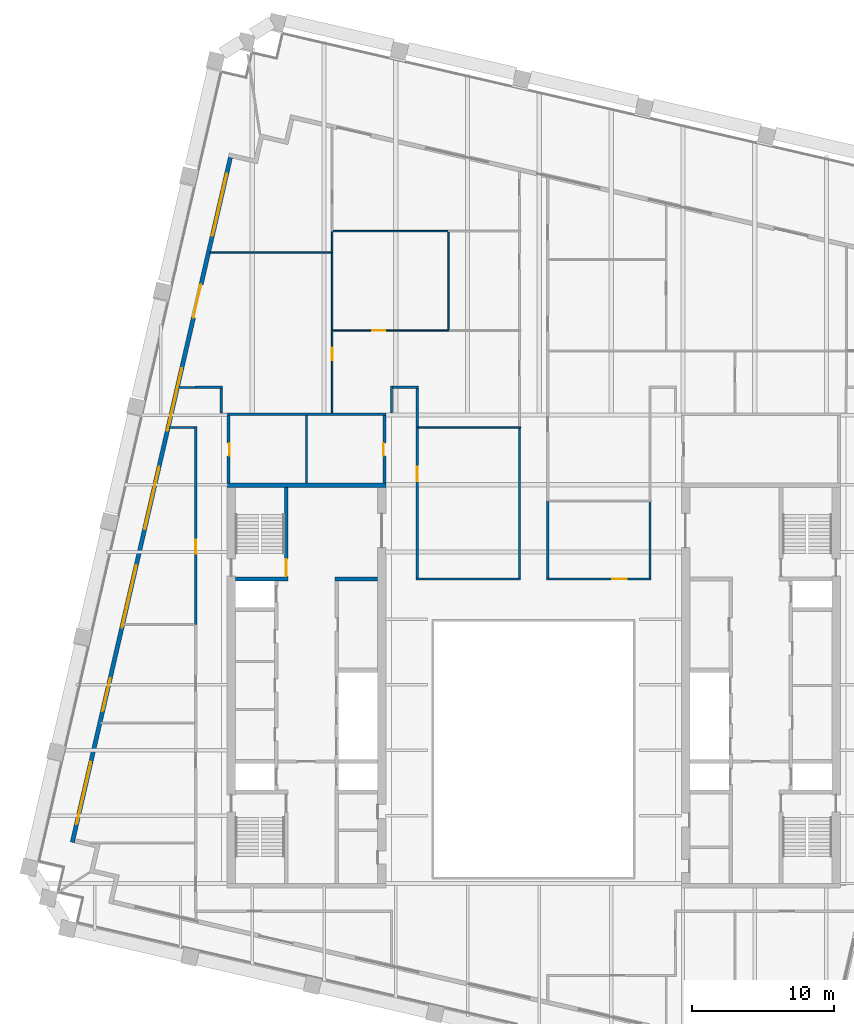
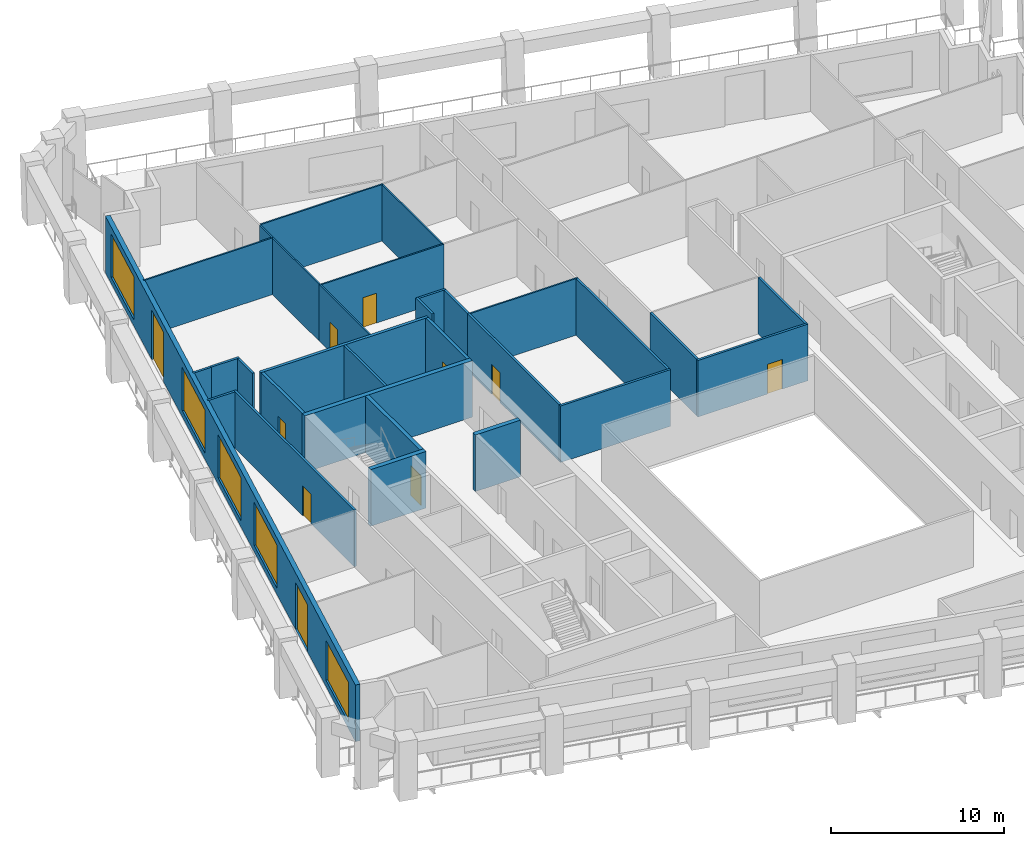
# One storey, part 6 of 9: 31 walls, 10 doors, 5 windows, 15 openings.
"""IFC4 building model written with IfcOpenShell, lengths in metres."""

from ifc_helpers import new_model, si_unit, direction, frame, frame_2d, origin, place, context, subcontext, project, spatial, rectangle, extrude, material, layer, layer_set, type_object, element, fill, save


model = new_model("IFC4")

# Units and contexts
model_context = context("Model", 3, precision=1e-05, world=origin(), true_north=direction((0.0, 1.0)))
body_context = subcontext(model_context, "Body", "Model", "MODEL_VIEW")
ifc_project = project(units=[si_unit("LENGTHUNIT", "METRE"), si_unit("AREAUNIT", "SQUARE_METRE"), si_unit("VOLUMEUNIT", "CUBIC_METRE"), si_unit("PLANEANGLEUNIT", "RADIAN"), si_unit("MASSUNIT", "GRAM", prefix="KILO")], contexts=[model_context])

# Site, building, storey
site_placement = place(None, origin())
site = spatial("IfcSite", under=ifc_project, at=site_placement, CompositionType="ELEMENT")
building_placement = place(site_placement, origin())
building = spatial("IfcBuilding", under=site, at=building_placement, Name="Ogive Exchange Tower", CompositionType="ELEMENT")
storey_placement = place(building_placement, frame((0.0, 0.0, 276.60009765625)))
storey = spatial("IfcBuildingStorey", under=building, at=storey_placement, Name="L60", CompositionType="ELEMENT", Elevation=276.60009765625)

# Walls
ifc_material_1 = material(Name="Gypsum board partition")
ifc_layer_1 = layer(ifc_material_1, 0.14990234375)
ifc_layer_set_1 = layer_set([ifc_layer_1], Name="Core room partition 150 gypsum")
wall_type_1 = type_object("IfcWallType", Name="Core room partition 150 gypsum", PredefinedType="PARTITIONING", material=ifc_layer_set_1)
wall_1_placement = place(storey_placement, frame((-16.0, 25.75, 0.0), z_axis=(0.0, 0.0, 1.0), x_axis=(0.0, 1.0, 0.0)))
element("IfcWall", 1, at=wall_1_placement, inside=storey, type_object=wall_type_1, Name="W annex N column wall", PredefinedType="PARTITIONING", context=body_context, shape_type="SweptSolid", body=[
    extrude(rectangle(XDim=4.75, YDim=0.14990234375, at=frame_2d((2.375, 0.0))), origin(), (0.0, 0.0, 1.0), 4.0),
])
ifc_layer_2 = layer(ifc_material_1, 0.300048828125)
ifc_layer_set_2 = layer_set([ifc_layer_2], Name="Core room partition 300 gypsum")
wall_type_2 = type_object("IfcWallType", Name="Core room partition 300 gypsum", PredefinedType="PARTITIONING", material=ifc_layer_set_2)
wall_2_placement = place(storey_placement, frame((-14.0, 19.0, 0.0), z_axis=(0.0, 0.0, 1.0), x_axis=(1.0, 0.0, 0.0)))
element("IfcWall", 2, at=wall_2_placement, inside=storey, type_object=wall_type_2, Name="W row B room end wall 7", PredefinedType="PARTITIONING", context=body_context, shape_type="SweptSolid", body=[
    extrude(rectangle(XDim=3.0, YDim=0.300048828125, at=frame_2d((1.5, 0.0))), origin(), (0.0, 0.0, 1.0), 4.0),
])
ifc_material_2 = material(Name="Fire partition EI 60 150")
ifc_layer_3 = layer(ifc_material_2, 0.14990234375)
ifc_layer_set_3 = layer_set([ifc_layer_3], Name="Fire partition EI 60 150")
wall_type_3 = type_object("IfcWallType", Name="Fire partition EI 60 150", PredefinedType="PARTITIONING", material=ifc_layer_set_3)
wall_3_placement = place(storey_placement, frame((-25.02490234375, 32.489990234375, 0.0), z_axis=(0.0, 0.0, 1.0), x_axis=(1.0, 0.0, 0.0)))
element("IfcWall", 3, at=wall_3_placement, inside=storey, type_object=wall_type_3, Name="L60-PWL-001", PredefinedType="PARTITIONING", context=body_context, shape_type="SweptSolid", body=[
    extrude(rectangle(XDim=1.224853515625, YDim=0.14990234375, at=frame_2d((0.6123046875, 0.0))), origin(), (0.0, 0.0, 1.0), 4.0),
])

# Wall, opening, door
wall_4_placement = place(storey_placement, frame((-23.800048828125, 15.7900390625, 0.0), z_axis=(0.0, 0.0, 1.0), x_axis=(0.0, 1.0, 0.0)))
wall_4 = element("IfcWall", 4, at=wall_4_placement, inside=storey, type_object=wall_type_3, Name="L60-PWL-008", PredefinedType="PARTITIONING", context=body_context, shape_type="SweptSolid", body=[
    extrude(rectangle(XDim=13.945068359375, YDim=0.14990234375, at=frame_2d((6.97265625, 0.0))), origin(), (0.0, 0.0, 1.0), 4.0),
])
opening_1_placement = place(wall_4_placement, frame((4.969970703125, 0.0, 0.0)))
opening_1 = element("IfcOpeningElement", 5, at=opening_1_placement, cuts=wall_4, Name="Opening L60-I22", PredefinedType="OPENING", context=body_context, shape_type="SweptSolid", body=[
    extrude(rectangle(XDim=1.0, YDim=2.10009765625, at=frame_2d((0.5, 1.050048828125))), frame((0.0, 0.0849609375, 0.0), z_axis=(0.0, -1.0, 0.0), x_axis=(1.0, 0.0, 0.0)), (0.0, 0.0, 1.0), 0.169921875),
])
ifc_material_3 = material(Name="Fire door FD 30S 1000 x 2100")
door_type_1 = type_object("IfcDoorType", Name="Fire door FD 30S 1000 x 2100", OperationType="NOTDEFINED", PredefinedType="DOOR", material=ifc_material_3)
door_1_placement = place(opening_1_placement, origin())
door_1 = element("IfcDoor", 6, at=door_1_placement, inside=storey, type_object=door_type_1, Name="L60-IDR-022", ObjectType="DT3", OperationType="SINGLE_SWING_RIGHT", OverallHeight=2.10009765625, OverallWidth=1.0, PredefinedType="DOOR", context=body_context, shape_type="SweptSolid", body=[
    extrude(rectangle(XDim=1.0, YDim=2.10009765625, at=frame_2d((0.5, 1.050048828125))), frame((0.0, 0.02490234375, 0.0), z_axis=(0.0, -1.0, 0.0), x_axis=(1.0, 0.0, 0.0)), (0.0, 0.0, 1.0), 0.050048828125),
])
fill(opening_1, door_1)

# Walls
wall_5_placement = place(storey_placement, frame((-23.875, 29.659912109375, 0.0), z_axis=(0.0, 0.0, 1.0), x_axis=(-1.0, 0.0, 0.0)))
element("IfcWall", 7, at=wall_5_placement, inside=storey, type_object=wall_type_3, Name="L60-PWL-009", PredefinedType="PARTITIONING", context=body_context, shape_type="SweptSolid", body=[
    extrude(rectangle(XDim=1.802978515625, YDim=0.14990234375, at=frame_2d((0.9013671875, 0.0))), origin(), (0.0, 0.0, 1.0), 4.0),
])
wall_6_placement = place(storey_placement, frame((-23.800048828125, 32.5, 0.0), z_axis=(0.0, 0.0, 1.0), x_axis=(1.0, 0.0, 0.0)))
element("IfcWall", 8, at=wall_6_placement, inside=storey, type_object=wall_type_3, Name="L60-PWL-010", PredefinedType="PARTITIONING", context=body_context, shape_type="SweptSolid", body=[
    extrude(rectangle(XDim=1.875, YDim=0.14990234375, at=frame_2d((0.9375, 0.0))), origin(), (0.0, 0.0, 1.0), 4.0),
])
wall_7_placement = place(storey_placement, frame((-22.0, 32.425048828125, 0.0), z_axis=(0.0, 0.0, 1.0), x_axis=(0.0, -1.0, 0.0)))
element("IfcWall", 9, at=wall_7_placement, inside=storey, type_object=wall_type_3, Name="L60-PWL-012", PredefinedType="PARTITIONING", context=body_context, shape_type="SweptSolid", body=[
    extrude(rectangle(XDim=1.72509765625, YDim=0.14990234375, at=frame_2d((0.862548828125, 0.0))), origin(), (0.0, 0.0, 1.0), 4.0),
])
wall_8_placement = place(storey_placement, frame((-10.0, 30.699951171875, 0.0), z_axis=(0.0, 0.0, 1.0), x_axis=(0.0, 1.0, 0.0)))
element("IfcWall", 10, at=wall_8_placement, inside=storey, type_object=wall_type_3, Name="L60-PWL-022", PredefinedType="PARTITIONING", context=body_context, shape_type="SweptSolid", body=[
    extrude(rectangle(XDim=1.875, YDim=0.14990234375, at=frame_2d((0.9375, 0.0))), origin(), (0.0, 0.0, 1.0), 4.0),
])
wall_9_placement = place(storey_placement, frame((-9.925048828125, 32.5, 0.0), z_axis=(0.0, 0.0, 1.0), x_axis=(1.0, 0.0, 0.0)))
element("IfcWall", 11, at=wall_9_placement, inside=storey, type_object=wall_type_3, Name="L60-PWL-023", PredefinedType="PARTITIONING", context=body_context, shape_type="SweptSolid", body=[
    extrude(rectangle(XDim=1.800048828125, YDim=0.14990234375, at=frame_2d((0.89990234375, 0.0))), origin(), (0.0, 0.0, 1.0), 4.0),
])
wall_10_placement = place(storey_placement, frame((-8.27490234375, 19.0, 0.0), z_axis=(0.0, 0.0, 1.0), x_axis=(1.0, 0.0, 0.0)))
element("IfcWall", 12, at=wall_10_placement, inside=storey, type_object=wall_type_3, Name="L60-PWL-024", PredefinedType="PARTITIONING", context=body_context, shape_type="SweptSolid", body=[
    extrude(rectangle(XDim=7.35986328125, YDim=0.14990234375, at=frame_2d((3.679931640625, 0.0))), origin(), (0.0, 0.0, 1.0), 4.0),
])

# Wall, opening, door
wall_11_placement = place(storey_placement, frame((-8.199951171875, 29.7099609375, 0.0), z_axis=(0.0, 0.0, 1.0), x_axis=(0.0, -1.0, 0.0)))
wall_11 = element("IfcWall", 13, at=wall_11_placement, inside=storey, type_object=wall_type_3, Name="L60-PWL-025", PredefinedType="PARTITIONING", context=body_context, shape_type="SweptSolid", body=[
    extrude(rectangle(XDim=10.635009765625, YDim=0.14990234375, at=frame_2d((5.3173828125, 0.0))), origin(), (0.0, 0.0, 1.0), 4.0),
])
opening_2_placement = place(wall_11_placement, frame((2.81005859375, 0.0, 0.0)))
opening_2 = element("IfcOpeningElement", 14, at=opening_2_placement, cuts=wall_11, Name="Opening L60-I15", PredefinedType="OPENING", context=body_context, shape_type="SweptSolid", body=[
    extrude(rectangle(XDim=1.0, YDim=2.10009765625, at=frame_2d((0.5, 1.050048828125))), frame((0.0, 0.0849609375, 0.0), z_axis=(0.0, -1.0, 0.0), x_axis=(1.0, 0.0, 0.0)), (0.0, 0.0, 1.0), 0.169921875),
])
door_2_placement = place(opening_2_placement, origin())
door_2 = element("IfcDoor", 15, at=door_2_placement, inside=storey, type_object=door_type_1, Name="L60-IDR-015", ObjectType="DT3", OperationType="SINGLE_SWING_RIGHT", OverallHeight=2.10009765625, OverallWidth=1.0, PredefinedType="DOOR", context=body_context, shape_type="SweptSolid", body=[
    extrude(rectangle(XDim=1.0, YDim=2.10009765625, at=frame_2d((0.5, 1.050048828125))), frame((0.0, 0.02490234375, 0.0), z_axis=(0.0, -1.0, 0.0), x_axis=(1.0, 0.0, 0.0)), (0.0, 0.0, 1.0), 0.050048828125),
])
fill(opening_2, door_2)

# Walls
wall_12_placement = place(storey_placement, frame((-8.199951171875, 32.425048828125, 0.0), z_axis=(0.0, 0.0, 1.0), x_axis=(0.0, -1.0, 0.0)))
element("IfcWall", 16, at=wall_12_placement, inside=storey, type_object=wall_type_3, Name="L60-PWL-027", PredefinedType="PARTITIONING", context=body_context, shape_type="SweptSolid", body=[
    extrude(rectangle(XDim=2.715087890625, YDim=0.14990234375, at=frame_2d((1.357421875, 0.0))), origin(), (0.0, 0.0, 1.0), 4.0),
])
wall_13_placement = place(storey_placement, frame((-0.989990234375, 19.074951171875, 0.0), z_axis=(0.0, 0.0, 1.0), x_axis=(0.0, 1.0, 0.0)))
element("IfcWall", 17, at=wall_13_placement, inside=storey, type_object=wall_type_3, Name="L60-PWL-031", PredefinedType="PARTITIONING", context=body_context, shape_type="SweptSolid", body=[
    extrude(rectangle(XDim=10.53515625, YDim=0.14990234375, at=frame_2d((5.267578125, 0.0))), origin(), (0.0, 0.0, 1.0), 4.0),
])

# Wall, opening, door
wall_14_placement = place(storey_placement, frame((0.9150390625, 19.0, 0.0), z_axis=(0.0, 0.0, 1.0), x_axis=(1.0, 0.0, 0.0)))
wall_14 = element("IfcWall", 18, at=wall_14_placement, inside=storey, type_object=wall_type_3, Name="L60-PWL-036", PredefinedType="PARTITIONING", context=body_context, shape_type="SweptSolid", body=[
    extrude(rectangle(XDim=7.35986328125, YDim=0.14990234375, at=frame_2d((3.679931640625, 0.0))), origin(), (0.0, 0.0, 1.0), 4.0),
])
opening_3_placement = place(wall_14_placement, frame((4.635009765625, 0.0, 0.0)))
opening_3 = element("IfcOpeningElement", 19, at=opening_3_placement, cuts=wall_14, Name="Opening L60-I04", PredefinedType="OPENING", context=body_context, shape_type="SweptSolid", body=[
    extrude(rectangle(XDim=1.0, YDim=2.10009765625, at=frame_2d((0.5, 1.050048828125))), frame((0.0, 0.0849609375, 0.0), z_axis=(0.0, -1.0, 0.0), x_axis=(1.0, 0.0, 0.0)), (0.0, 0.0, 1.0), 0.169921875),
])
door_3_placement = place(opening_3_placement, origin())
door_3 = element("IfcDoor", 20, at=door_3_placement, inside=storey, type_object=door_type_1, Name="L60-IDR-004", ObjectType="DT3", OperationType="SINGLE_SWING_LEFT", OverallHeight=2.10009765625, OverallWidth=1.0, PredefinedType="DOOR", context=body_context, shape_type="SweptSolid", body=[
    extrude(rectangle(XDim=1.0, YDim=2.10009765625, at=frame_2d((0.5, 1.050048828125))), frame((0.0, 0.02490234375, 0.0), z_axis=(0.0, -1.0, 0.0), x_axis=(1.0, 0.0, 0.0)), (0.0, 0.0, 1.0), 0.050048828125),
])
fill(opening_3, door_3)

# Walls
wall_15_placement = place(storey_placement, frame((0.989990234375, 24.5, 0.0), z_axis=(0.0, 0.0, 1.0), x_axis=(0.0, -1.0, 0.0)))
element("IfcWall", 21, at=wall_15_placement, inside=storey, type_object=wall_type_3, Name="L60-PWL-037", PredefinedType="PARTITIONING", context=body_context, shape_type="SweptSolid", body=[
    extrude(rectangle(XDim=5.425048828125, YDim=0.14990234375, at=frame_2d((2.71240234375, 0.0))), origin(), (0.0, 0.0, 1.0), 4.0),
])
wall_16_placement = place(storey_placement, frame((8.199951171875, 19.074951171875, 0.0), z_axis=(0.0, 0.0, 1.0), x_axis=(0.0, 1.0, 0.0)))
element("IfcWall", 22, at=wall_16_placement, inside=storey, type_object=wall_type_3, Name="L60-PWL-042", PredefinedType="PARTITIONING", context=body_context, shape_type="SweptSolid", body=[
    extrude(rectangle(XDim=5.375, YDim=0.14990234375, at=frame_2d((2.6875, 0.0))), origin(), (0.0, 0.0, 1.0), 4.0),
])

# Wall, openings, doors, windows
ifc_material_4 = material(Name="Precast concrete C40/50", Category="concrete")
ifc_layer_4 = layer(ifc_material_4, 0.300048828125)
ifc_layer_set_4 = layer_set([ifc_layer_4], Name="Limestone-faced wall 300")
wall_type_4 = type_object("IfcWallType", Name="Limestone-faced wall 300", PredefinedType="STANDARD", material=ifc_layer_set_4)
wall_17_placement = place(storey_placement, frame((-21.35888671875, 48.67822265625, 0.0), z_axis=(0.0, 0.0, 1.0), x_axis=(-0.224949198343, -0.974370493275, 0.0)))
wall_17 = element("IfcWall", 23, at=wall_17_placement, inside=storey, type_object=wall_type_4, Name="External wall W4", PredefinedType="STANDARD", context=body_context, shape_type="SweptSolid", body=[
    extrude(rectangle(XDim=49.5, YDim=0.300048828125, at=frame_2d((24.75, 0.0))), origin(), (0.0, 0.0, 1.0), 4.0),
])
opening_4_placement = place(wall_17_placement, frame((1.156982421875, 0.0, 0.449951171875)))
opening_4 = element("IfcOpeningElement", 24, at=opening_4_placement, cuts=wall_17, Name="Opening W1", PredefinedType="OPENING", context=body_context, shape_type="SweptSolid", body=[
    extrude(rectangle(XDim=4.5, YDim=3.050048828125, at=frame_2d((2.25, 1.52490234375))), frame((0.0, 0.159912109375, 0.0), z_axis=(0.0, -1.0, 0.0), x_axis=(1.0, 0.0, 0.0)), (0.0, 0.0, 1.0), 0.320068359375),
])
opening_5_placement = place(wall_17_placement, frame((9.17138671875, 0.0, 0.0)))
opening_5 = element("IfcOpeningElement", 25, at=opening_5_placement, cuts=wall_17, Name="Opening D1", PredefinedType="OPENING", context=body_context, shape_type="SweptSolid", body=[
    extrude(rectangle(XDim=2.39990234375, YDim=3.5, at=frame_2d((1.199951171875, 1.75))), frame((0.0, 0.159912109375, 0.0), z_axis=(0.0, -1.0, 0.0), x_axis=(1.0, 0.0, 0.0)), (0.0, 0.0, 1.0), 0.320068359375),
])
opening_6_placement = place(wall_17_placement, frame((15.235595703125, 0.0, 0.449951171875)))
opening_6 = element("IfcOpeningElement", 26, at=opening_6_placement, cuts=wall_17, Name="Opening W1", PredefinedType="OPENING", context=body_context, shape_type="SweptSolid", body=[
    extrude(rectangle(XDim=4.5, YDim=3.050048828125, at=frame_2d((2.25, 1.52490234375))), frame((0.0, 0.159912109375, 0.0), z_axis=(0.0, -1.0, 0.0), x_axis=(1.0, 0.0, 0.0)), (0.0, 0.0, 1.0), 0.320068359375),
])
opening_7_placement = place(wall_17_placement, frame((22.35009765625, 0.0, 0.449951171875)))
opening_7 = element("IfcOpeningElement", 27, at=opening_7_placement, cuts=wall_17, Name="Opening W1", PredefinedType="OPENING", context=body_context, shape_type="SweptSolid", body=[
    extrude(rectangle(XDim=4.5, YDim=3.050048828125, at=frame_2d((2.25, 1.52490234375))), frame((0.0, 0.159912109375, 0.0), z_axis=(0.0, -1.0, 0.0), x_axis=(1.0, 0.0, 0.0)), (0.0, 0.0, 1.0), 0.320068359375),
])
opening_8_placement = place(wall_17_placement, frame((29.464111328125, 0.0, 0.449951171875)))
opening_8 = element("IfcOpeningElement", 28, at=opening_8_placement, cuts=wall_17, Name="Opening W1", PredefinedType="OPENING", context=body_context, shape_type="SweptSolid", body=[
    extrude(rectangle(XDim=4.5, YDim=3.050048828125, at=frame_2d((2.25, 1.52490234375))), frame((0.0, 0.159912109375, 0.0), z_axis=(0.0, -1.0, 0.0), x_axis=(1.0, 0.0, 0.0)), (0.0, 0.0, 1.0), 0.320068359375),
])
opening_9_placement = place(wall_17_placement, frame((37.62841796875, 0.0, 0.0)))
opening_9 = element("IfcOpeningElement", 29, at=opening_9_placement, cuts=wall_17, Name="Opening D1C", PredefinedType="OPENING", context=body_context, shape_type="SweptSolid", body=[
    extrude(rectangle(XDim=2.39990234375, YDim=3.324951171875, at=frame_2d((1.199951171875, 1.66259765625))), frame((0.0, 0.159912109375, 0.0), z_axis=(0.0, -1.0, 0.0), x_axis=(1.0, 0.0, 0.0)), (0.0, 0.0, 1.0), 0.320068359375),
])
opening_10_placement = place(wall_17_placement, frame((43.69287109375, 0.0, 0.449951171875)))
opening_10 = element("IfcOpeningElement", 30, at=opening_10_placement, cuts=wall_17, Name="Opening W1E", PredefinedType="OPENING", context=body_context, shape_type="SweptSolid", body=[
    extrude(rectangle(XDim=4.5, YDim=2.824951171875, at=frame_2d((2.25, 1.41259765625))), frame((0.0, 0.159912109375, 0.0), z_axis=(0.0, -1.0, 0.0), x_axis=(1.0, 0.0, 0.0)), (0.0, 0.0, 1.0), 0.320068359375),
])
ifc_material_5 = material(Name="Clear glass in bronze frame", Category="glass")
door_type_2 = type_object("IfcDoorType", Name="Sliding loggia door 2400 x 3325", OperationType="DOUBLE_DOOR_SLIDING", PredefinedType="DOOR", material=ifc_material_5)
door_4_placement = place(opening_9_placement, origin())
door_4 = element("IfcDoor", 31, at=door_4_placement, inside=storey, type_object=door_type_2, Name="Loggia door W05", OperationType="DOUBLE_DOOR_SLIDING", OverallHeight=3.324951171875, OverallWidth=2.39990234375, PredefinedType="DOOR", context=body_context, shape_type="SweptSolid", body=[
    extrude(rectangle(XDim=2.39990234375, YDim=3.324951171875, at=frame_2d((1.199951171875, 1.66259765625))), frame((0.0, 0.02490234375, 0.0), z_axis=(0.0, -1.0, 0.0), x_axis=(1.0, 0.0, 0.0)), (0.0, 0.0, 1.0), 0.050048828125),
])
fill(opening_9, door_4)
door_type_3 = type_object("IfcDoorType", Name="Sliding loggia door 2400 x 3500", OperationType="DOUBLE_DOOR_SLIDING", PredefinedType="DOOR", material=ifc_material_5)
door_5_placement = place(opening_5_placement, origin())
door_5 = element("IfcDoor", 32, at=door_5_placement, inside=storey, type_object=door_type_3, Name="Loggia door W01", OperationType="DOUBLE_DOOR_SLIDING", OverallHeight=3.5, OverallWidth=2.39990234375, PredefinedType="DOOR", context=body_context, shape_type="SweptSolid", body=[
    extrude(rectangle(XDim=2.39990234375, YDim=3.5, at=frame_2d((1.199951171875, 1.75))), frame((0.0, 0.02490234375, 0.0), z_axis=(0.0, -1.0, 0.0), x_axis=(1.0, 0.0, 0.0)), (0.0, 0.0, 1.0), 0.050048828125),
])
fill(opening_5, door_5)
window_type_1 = type_object("IfcWindowType", Name="Twin lancet window 4500 x 2825", PartitioningType="DOUBLE_PANEL_VERTICAL", PredefinedType="WINDOW", material=ifc_material_5)
window_1_placement = place(opening_10_placement, origin())
window_1 = element("IfcWindow", 33, at=window_1_placement, inside=storey, type_object=window_type_1, Name="Window W06", OverallHeight=2.824951171875, OverallWidth=4.5, PartitioningType="DOUBLE_PANEL_VERTICAL", PredefinedType="WINDOW", context=body_context, shape_type="SweptSolid", body=[
    extrude(rectangle(XDim=4.5, YDim=2.824951171875, at=frame_2d((2.25, 1.41259765625))), frame((0.0, 0.030029296875, 0.0), z_axis=(0.0, -1.0, 0.0), x_axis=(1.0, 0.0, 0.0)), (0.0, 0.0, 1.0), 0.06005859375),
])
fill(opening_10, window_1)
window_type_2 = type_object("IfcWindowType", Name="Twin lancet window 4500 x 3050", PartitioningType="DOUBLE_PANEL_VERTICAL", PredefinedType="WINDOW", material=ifc_material_5)
window_2_placement = place(opening_4_placement, origin())
window_2 = element("IfcWindow", 34, at=window_2_placement, inside=storey, type_object=window_type_2, Name="Window W00", OverallHeight=3.050048828125, OverallWidth=4.5, PartitioningType="DOUBLE_PANEL_VERTICAL", PredefinedType="WINDOW", context=body_context, shape_type="SweptSolid", body=[
    extrude(rectangle(XDim=4.5, YDim=3.050048828125, at=frame_2d((2.25, 1.52490234375))), frame((0.0, 0.030029296875, 0.0), z_axis=(0.0, -1.0, 0.0), x_axis=(1.0, 0.0, 0.0)), (0.0, 0.0, 1.0), 0.06005859375),
])
fill(opening_4, window_2)
window_3_placement = place(opening_6_placement, origin())
window_3 = element("IfcWindow", 35, at=window_3_placement, inside=storey, type_object=window_type_2, Name="Window W02", OverallHeight=3.050048828125, OverallWidth=4.5, PartitioningType="DOUBLE_PANEL_VERTICAL", PredefinedType="WINDOW", context=body_context, shape_type="SweptSolid", body=[
    extrude(rectangle(XDim=4.5, YDim=3.050048828125, at=frame_2d((2.25, 1.52490234375))), frame((0.0, 0.030029296875, 0.0), z_axis=(0.0, -1.0, 0.0), x_axis=(1.0, 0.0, 0.0)), (0.0, 0.0, 1.0), 0.06005859375),
])
fill(opening_6, window_3)
window_4_placement = place(opening_7_placement, origin())
window_4 = element("IfcWindow", 36, at=window_4_placement, inside=storey, type_object=window_type_2, Name="Window W03", OverallHeight=3.050048828125, OverallWidth=4.5, PartitioningType="DOUBLE_PANEL_VERTICAL", PredefinedType="WINDOW", context=body_context, shape_type="SweptSolid", body=[
    extrude(rectangle(XDim=4.5, YDim=3.050048828125, at=frame_2d((2.25, 1.52490234375))), frame((0.0, 0.030029296875, 0.0), z_axis=(0.0, -1.0, 0.0), x_axis=(1.0, 0.0, 0.0)), (0.0, 0.0, 1.0), 0.06005859375),
])
fill(opening_7, window_4)
window_5_placement = place(opening_8_placement, origin())
window_5 = element("IfcWindow", 37, at=window_5_placement, inside=storey, type_object=window_type_2, Name="Window W04", OverallHeight=3.050048828125, OverallWidth=4.5, PartitioningType="DOUBLE_PANEL_VERTICAL", PredefinedType="WINDOW", context=body_context, shape_type="SweptSolid", body=[
    extrude(rectangle(XDim=4.5, YDim=3.050048828125, at=frame_2d((2.25, 1.52490234375))), frame((0.0, 0.030029296875, 0.0), z_axis=(0.0, -1.0, 0.0), x_axis=(1.0, 0.0, 0.0)), (0.0, 0.0, 1.0), 0.06005859375),
])
fill(opening_8, window_5)

# Wall, opening, door
ifc_material_6 = material(Name="Partition 100 gypsum")
ifc_layer_5 = layer(ifc_material_6, 0.10009765625)
ifc_layer_set_5 = layer_set([ifc_layer_5], Name="Partition 100 gypsum")
wall_type_5 = type_object("IfcWallType", Name="Partition 100 gypsum", PredefinedType="PARTITIONING", material=ifc_layer_set_5)
wall_18_placement = place(storey_placement, frame((-14.18994140625, 30.699951171875, 0.0), z_axis=(0.0, 0.0, 1.0), x_axis=(0.0, 1.0, 0.0)))
wall_18 = element("IfcWall", 38, at=wall_18_placement, inside=storey, type_object=wall_type_5, Name="L60-PWL-013", PredefinedType="PARTITIONING", context=body_context, shape_type="SweptSolid", body=[
    extrude(rectangle(XDim=5.85009765625, YDim=0.10009765625, at=frame_2d((2.925048828125, 0.0))), origin(), (0.0, 0.0, 1.0), 4.0),
])
opening_11_placement = place(wall_18_placement, frame((3.699951171875, 0.0, 0.0)))
opening_11 = element("IfcOpeningElement", 39, at=opening_11_placement, cuts=wall_18, Name="Opening L60-I21", PredefinedType="OPENING", context=body_context, shape_type="SweptSolid", body=[
    extrude(rectangle(XDim=0.89990234375, YDim=2.10009765625, at=frame_2d((0.449951171875, 1.050048828125))), frame((0.0, 0.06005859375, 0.0), z_axis=(0.0, -1.0, 0.0), x_axis=(1.0, 0.0, 0.0)), (0.0, 0.0, 1.0), 0.1201171875),
])
ifc_material_7 = material(Name="Door 900 x 2100")
door_type_4 = type_object("IfcDoorType", Name="Door 900 x 2100", OperationType="NOTDEFINED", PredefinedType="DOOR", material=ifc_material_7)
door_6_placement = place(opening_11_placement, frame((0.89990234375, 0.0, 0.0), z_axis=(0.0, 0.0, 1.0), x_axis=(-1.0, 0.0, 0.0)))
door_6 = element("IfcDoor", 40, at=door_6_placement, inside=storey, type_object=door_type_4, Name="L60-IDR-021", ObjectType="DT1", OperationType="SINGLE_SWING_RIGHT", OverallHeight=2.10009765625, OverallWidth=0.89990234375, PredefinedType="DOOR", context=body_context, shape_type="SweptSolid", body=[
    extrude(rectangle(XDim=0.89990234375, YDim=2.10009765625, at=frame_2d((0.449951171875, 1.050048828125))), frame((0.0, 0.02490234375, 0.0), z_axis=(0.0, -1.0, 0.0), x_axis=(1.0, 0.0, 0.0)), (0.0, 0.0, 1.0), 0.050048828125),
])
fill(opening_11, door_6)

# Wall
wall_19_placement = place(storey_placement, frame((-14.18994140625, 36.550048828125, 0.0), z_axis=(0.0, 0.0, 1.0), x_axis=(0.0, 1.0, 0.0)))
element("IfcWall", 41, at=wall_19_placement, inside=storey, type_object=wall_type_5, Name="L60-PWL-014", PredefinedType="PARTITIONING", context=body_context, shape_type="SweptSolid", body=[
    extrude(rectangle(XDim=5.5, YDim=0.10009765625, at=frame_2d((2.75, 0.0))), origin(), (0.0, 0.0, 1.0), 4.0),
])

# Wall, opening, door
wall_20_placement = place(storey_placement, frame((-14.139892578125, 36.5, 0.0), z_axis=(0.0, 0.0, 1.0), x_axis=(1.0, 0.0, 0.0)))
wall_20 = element("IfcWall", 42, at=wall_20_placement, inside=storey, type_object=wall_type_5, Name="L60-PWL-015", PredefinedType="PARTITIONING", context=body_context, shape_type="SweptSolid", body=[
    extrude(rectangle(XDim=8.18994140625, YDim=0.10009765625, at=frame_2d((4.094970703125, 0.0))), origin(), (0.0, 0.0, 1.0), 4.0),
])
opening_12_placement = place(wall_20_placement, frame((2.7900390625, 0.0, 0.0)))
opening_12 = element("IfcOpeningElement", 43, at=opening_12_placement, cuts=wall_20, Name="Opening L60-I17", PredefinedType="OPENING", context=body_context, shape_type="SweptSolid", body=[
    extrude(rectangle(XDim=0.89990234375, YDim=2.10009765625, at=frame_2d((0.449951171875, 1.050048828125))), frame((0.0, 0.06005859375, 0.0), z_axis=(0.0, -1.0, 0.0), x_axis=(1.0, 0.0, 0.0)), (0.0, 0.0, 1.0), 0.1201171875),
])
door_7_placement = place(opening_12_placement, origin())
door_7 = element("IfcDoor", 44, at=door_7_placement, inside=storey, type_object=door_type_4, Name="L60-IDR-017", ObjectType="DT1", OperationType="SINGLE_SWING_RIGHT", OverallHeight=2.10009765625, OverallWidth=0.89990234375, PredefinedType="DOOR", context=body_context, shape_type="SweptSolid", body=[
    extrude(rectangle(XDim=0.89990234375, YDim=2.10009765625, at=frame_2d((0.449951171875, 1.050048828125))), frame((0.0, 0.02490234375, 0.0), z_axis=(0.0, -1.0, 0.0), x_axis=(1.0, 0.0, 0.0)), (0.0, 0.0, 1.0), 0.050048828125),
])
fill(opening_12, door_7)

# Walls
wall_21_placement = place(storey_placement, frame((-14.239990234375, 42.0, 0.0), z_axis=(0.0, 0.0, 1.0), x_axis=(-1.0, 0.0, 0.0)))
element("IfcWall", 45, at=wall_21_placement, inside=storey, type_object=wall_type_5, Name="L60-PWL-016", PredefinedType="PARTITIONING", context=body_context, shape_type="SweptSolid", body=[
    extrude(rectangle(XDim=8.589111328125, YDim=0.10009765625, at=frame_2d((4.29443359375, 0.0))), origin(), (0.0, 0.0, 1.0), 4.0),
])
wall_22_placement = place(storey_placement, frame((-14.18994140625, 42.0, 0.0), z_axis=(0.0, 0.0, 1.0), x_axis=(0.0, 1.0, 0.0)))
element("IfcWall", 46, at=wall_22_placement, inside=storey, type_object=wall_type_5, Name="L60-PWL-017", PredefinedType="PARTITIONING", context=body_context, shape_type="SweptSolid", body=[
    extrude(rectangle(XDim=1.449951171875, YDim=0.10009765625, at=frame_2d((0.72509765625, 0.0))), origin(), (0.0, 0.0, 1.0), 4.0),
])
wall_23_placement = place(storey_placement, frame((-14.139892578125, 43.5, 0.0), z_axis=(0.0, 0.0, 1.0), x_axis=(1.0, 0.0, 0.0)))
element("IfcWall", 47, at=wall_23_placement, inside=storey, type_object=wall_type_5, Name="L60-PWL-019", PredefinedType="PARTITIONING", context=body_context, shape_type="SweptSolid", body=[
    extrude(rectangle(XDim=8.18994140625, YDim=0.10009765625, at=frame_2d((4.094970703125, 0.0))), origin(), (0.0, 0.0, 1.0), 4.0),
])
wall_24_placement = place(storey_placement, frame((-8.125, 29.659912109375, 0.0), z_axis=(0.0, 0.0, 1.0), x_axis=(1.0, 0.0, 0.0)))
element("IfcWall", 48, at=wall_24_placement, inside=storey, type_object=wall_type_5, Name="L60-PWL-026", PredefinedType="PARTITIONING", context=body_context, shape_type="SweptSolid", body=[
    extrude(rectangle(XDim=7.2099609375, YDim=0.10009765625, at=frame_2d((3.60498046875, 0.0))), origin(), (0.0, 0.0, 1.0), 4.0),
])
wall_25_placement = place(storey_placement, frame((-6.0, 43.449951171875, 0.0), z_axis=(0.0, 0.0, 1.0), x_axis=(0.0, -1.0, 0.0)))
element("IfcWall", 49, at=wall_25_placement, inside=storey, type_object=wall_type_5, Name="L60-PWL-029", PredefinedType="PARTITIONING", context=body_context, shape_type="SweptSolid", body=[
    extrude(rectangle(XDim=6.89990234375, YDim=0.10009765625, at=frame_2d((3.449951171875, 0.0))), origin(), (0.0, 0.0, 1.0), 4.0),
])

# Wall, opening, door
ifc_material_8 = material(Name="Concrete C70/85", Category="concrete")
ifc_layer_6 = layer(ifc_material_8, 0.199951171875)
ifc_layer_set_6 = layer_set([ifc_layer_6], Name="RC core wall 200 C70/85")
wall_type_6 = type_object("IfcWallType", Name="RC core wall 200 C70/85", PredefinedType="SHEAR", material=ifc_layer_set_6)
wall_26_placement = place(storey_placement, frame((-21.5, 25.75, 0.0), z_axis=(0.0, 0.0, 1.0), x_axis=(0.0, 1.0, 0.0)))
wall_26 = element("IfcWall", 50, at=wall_26_placement, inside=storey, type_object=wall_type_6, Name="W annex N outer wall", PredefinedType="SHEAR", context=body_context, shape_type="SweptSolid", body=[
    extrude(rectangle(XDim=4.75, YDim=0.199951171875, at=frame_2d((2.375, 0.0))), origin(), (0.0, 0.0, 1.0), 4.0),
])
opening_13_placement = place(wall_26_placement, frame((1.925048828125, 0.0, 0.0)))
opening_13 = element("IfcOpeningElement", 51, at=opening_13_placement, cuts=wall_26, Name="Opening L60-C19", PredefinedType="OPENING", context=body_context, shape_type="SweptSolid", body=[
    extrude(rectangle(XDim=0.89990234375, YDim=2.10009765625, at=frame_2d((0.449951171875, 1.050048828125))), frame((0.0, 0.10986328125, 0.0), z_axis=(0.0, -1.0, 0.0), x_axis=(1.0, 0.0, 0.0)), (0.0, 0.0, 1.0), 0.219970703125),
])
ifc_material_9 = material(Name="Timber fire door", Category="wood")
door_type_5 = type_object("IfcDoorType", Name="Core room door FD30S 900 x 2100", OperationType="NOTDEFINED", PredefinedType="DOOR", material=ifc_material_9)
door_8_placement = place(opening_13_placement, origin())
door_8 = element("IfcDoor", 52, at=door_8_placement, inside=storey, type_object=door_type_5, Name="Core room door", ObjectType="CD6", OperationType="SINGLE_SWING_LEFT", OverallHeight=2.10009765625, OverallWidth=0.89990234375, PredefinedType="DOOR", context=body_context, shape_type="SweptSolid", body=[
    extrude(rectangle(XDim=0.89990234375, YDim=2.10009765625, at=frame_2d((0.449951171875, 1.050048828125))), frame((0.0, -0.0498046875, 0.0), z_axis=(0.0, -1.0, 0.0), x_axis=(1.0, 0.0, 0.0)), (0.0, 0.0, 1.0), 0.050048828125),
])
fill(opening_13, door_8)

wall_27_placement = place(storey_placement, frame((-10.5, 25.75, 0.0), z_axis=(0.0, 0.0, 1.0), x_axis=(0.0, 1.0, 0.0)))
wall_27 = element("IfcWall", 53, at=wall_27_placement, inside=storey, type_object=wall_type_6, Name="W annex N inner wall", PredefinedType="SHEAR", context=body_context, shape_type="SweptSolid", body=[
    extrude(rectangle(XDim=4.75, YDim=0.199951171875, at=frame_2d((2.375, 0.0))), origin(), (0.0, 0.0, 1.0), 4.0),
])
opening_14_placement = place(wall_27_placement, frame((1.925048828125, 0.0, 0.0)))
opening_14 = element("IfcOpeningElement", 54, at=opening_14_placement, cuts=wall_27, Name="Opening L60-C20", PredefinedType="OPENING", context=body_context, shape_type="SweptSolid", body=[
    extrude(rectangle(XDim=0.89990234375, YDim=2.10009765625, at=frame_2d((0.449951171875, 1.050048828125))), frame((0.0, 0.10986328125, 0.0), z_axis=(0.0, -1.0, 0.0), x_axis=(1.0, 0.0, 0.0)), (0.0, 0.0, 1.0), 0.219970703125),
])
ifc_material_10 = material(Name="Steel fire door", Category="steel")
door_type_6 = type_object("IfcDoorType", Name="Riser door FD60 900 x 2100", OperationType="NOTDEFINED", PredefinedType="DOOR", material=ifc_material_10)
door_9_placement = place(opening_14_placement, frame((0.89990234375, 0.14990234375, 0.0), z_axis=(0.0, 0.0, 1.0), x_axis=(-1.0, 0.0, 0.0)))
door_9 = element("IfcDoor", 55, at=door_9_placement, inside=storey, type_object=door_type_6, Name="Riser door", ObjectType="CD2", OperationType="SINGLE_SWING_LEFT", OverallHeight=2.10009765625, OverallWidth=0.89990234375, PredefinedType="DOOR", context=body_context, shape_type="SweptSolid", body=[
    extrude(rectangle(XDim=0.89990234375, YDim=2.10009765625, at=frame_2d((0.449951171875, 1.050048828125))), frame((0.0, 0.10009765625, 0.0), z_axis=(0.0, -1.0, 0.0), x_axis=(1.0, 0.0, 0.0)), (0.0, 0.0, 1.0), 0.050048828125),
])
fill(opening_14, door_9)

# Wall
wall_28_placement = place(storey_placement, frame((-21.60009765625, 30.60009765625, 0.0), z_axis=(0.0, 0.0, 1.0), x_axis=(1.0, 0.0, 0.0)))
element("IfcWall", 56, at=wall_28_placement, inside=storey, type_object=wall_type_6, Name="W annex N end wall", PredefinedType="SHEAR", context=body_context, shape_type="SweptSolid", body=[
    extrude(rectangle(XDim=11.2001953125, YDim=0.199951171875, at=frame_2d((5.60009765625, 0.0))), origin(), (0.0, 0.0, 1.0), 4.0),
])

# Wall, opening, door
ifc_layer_7 = layer(ifc_material_8, 0.25)
ifc_layer_set_7 = layer_set([ifc_layer_7], Name="RC core wall 250 C70/85")
wall_type_7 = type_object("IfcWallType", Name="RC core wall 250 C70/85", PredefinedType="SHEAR", material=ifc_layer_set_7)
wall_29_placement = place(storey_placement, frame((-17.425048828125, 19.14990234375, 0.0), z_axis=(0.0, 0.0, 1.0), x_axis=(0.0, 1.0, 0.0)))
wall_29 = element("IfcWall", 57, at=wall_29_placement, inside=storey, type_object=wall_type_7, Name="W stair N front wall", PredefinedType="SHEAR", context=body_context, shape_type="SweptSolid", body=[
    extrude(rectangle(XDim=6.300048828125, YDim=0.25, at=frame_2d((3.14990234375, 0.0))), origin(), (0.0, 0.0, 1.0), 4.0),
])
opening_15_placement = place(wall_29_placement, frame((0.050048828125, 0.0, 0.0)))
opening_15 = element("IfcOpeningElement", 58, at=opening_15_placement, cuts=wall_29, Name="Opening L60-C15", PredefinedType="OPENING", context=body_context, shape_type="SweptSolid", body=[
    extrude(rectangle(XDim=1.199951171875, YDim=2.10009765625, at=frame_2d((0.60009765625, 1.050048828125))), frame((0.0, 0.135009765625, 0.0), z_axis=(0.0, -1.0, 0.0), x_axis=(1.0, 0.0, 0.0)), (0.0, 0.0, 1.0), 0.27001953125),
])
door_type_7 = type_object("IfcDoorType", Name="Stair door FD90 1200 x 2100", OperationType="NOTDEFINED", PredefinedType="DOOR", material=ifc_material_10)
door_10_placement = place(opening_15_placement, origin())
door_10 = element("IfcDoor", 59, at=door_10_placement, inside=storey, type_object=door_type_7, Name="Stair door", ObjectType="CD5", OperationType="SINGLE_SWING_RIGHT", OverallHeight=2.10009765625, OverallWidth=1.199951171875, PredefinedType="DOOR", context=body_context, shape_type="SweptSolid", body=[
    extrude(rectangle(XDim=1.199951171875, YDim=2.10009765625, at=frame_2d((0.60009765625, 1.050048828125))), frame((0.0, 0.02490234375, 0.0), z_axis=(0.0, -1.0, 0.0), x_axis=(1.0, 0.0, 0.0)), (0.0, 0.0, 1.0), 0.050048828125),
])
fill(opening_15, door_10)

# Walls
ifc_layer_8 = layer(ifc_material_8, 0.300048828125)
ifc_layer_set_8 = layer_set([ifc_layer_8], Name="RC core wall 300 C70/85")
wall_type_8 = type_object("IfcWallType", Name="RC core wall 300 C70/85", PredefinedType="SHEAR", material=ifc_layer_set_8)
wall_30_placement = place(storey_placement, frame((-21.60009765625, 25.60009765625, 0.0), z_axis=(0.0, 0.0, 1.0), x_axis=(1.0, 0.0, 0.0)))
element("IfcWall", 60, at=wall_30_placement, inside=storey, type_object=wall_type_8, Name="W north end wall", PredefinedType="SHEAR", context=body_context, shape_type="SweptSolid", body=[
    extrude(rectangle(XDim=11.2001953125, YDim=0.300048828125, at=frame_2d((5.60009765625, 0.0))), origin(), (0.0, 0.0, 1.0), 4.0),
])
wall_31_placement = place(storey_placement, frame((-21.0, 19.0, 0.0), z_axis=(0.0, 0.0, 1.0), x_axis=(1.0, 0.0, 0.0)))
element("IfcWall", 61, at=wall_31_placement, inside=storey, type_object=wall_type_8, Name="W stair N south wall", PredefinedType="SHEAR", context=body_context, shape_type="SweptSolid", body=[
    extrude(rectangle(XDim=3.699951171875, YDim=0.300048828125, at=frame_2d((1.85009765625, 0.0))), origin(), (0.0, 0.0, 1.0), 4.0),
])

save(model, "model.ifc")
